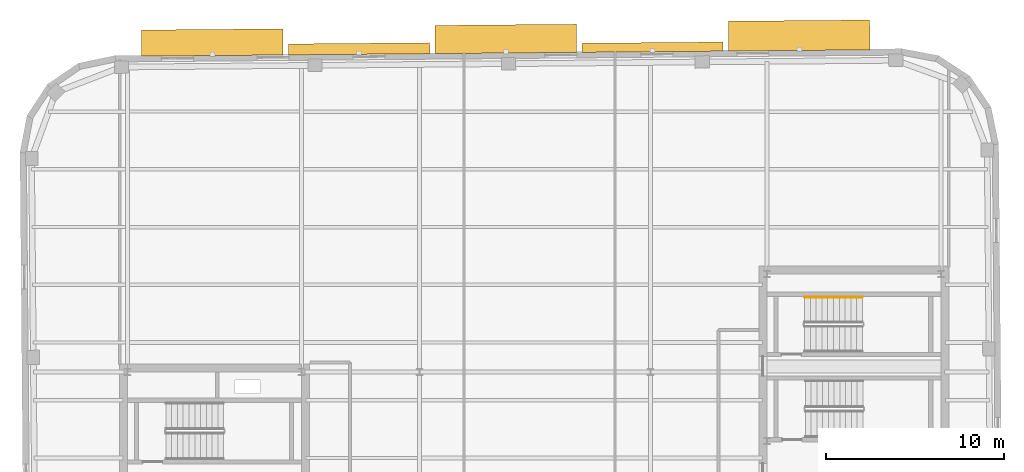
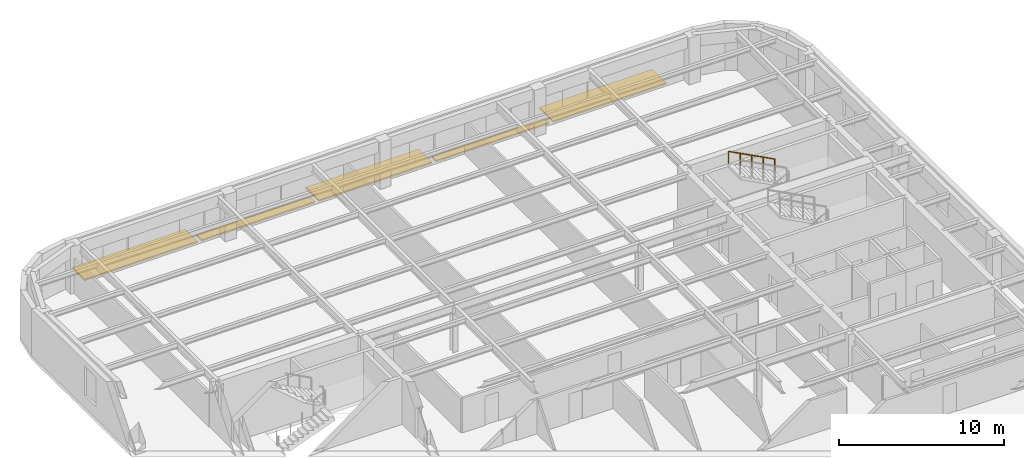
# One storey, part 13 of 13: 5 shading devices, 1 railing.
"""IFC4 building model written with IfcOpenShell, lengths in metres."""

from ifc_helpers import new_model, si_unit, direction, frame, origin, origin_2d, place, context, subcontext, project, spatial, rectangle, circle, extrude, material, type_object, element, save


model = new_model("IFC4")

# Units and contexts
model_context = context("Model", 3, precision=1e-05, world=origin(), true_north=direction((0.0, 1.0)))
body_context = subcontext(model_context, "Body", "Model", "MODEL_VIEW")
ifc_project = project(units=[si_unit("LENGTHUNIT", "METRE"), si_unit("AREAUNIT", "SQUARE_METRE"), si_unit("VOLUMEUNIT", "CUBIC_METRE"), si_unit("PLANEANGLEUNIT", "RADIAN"), si_unit("MASSUNIT", "GRAM", prefix="KILO")], contexts=[model_context])

# Site, building, storey
site_placement = place(None, origin())
site = spatial("IfcSite", under=ifc_project, at=site_placement, CompositionType="ELEMENT")
building_placement = place(site_placement, origin())
building = spatial("IfcBuilding", under=site, at=building_placement, Name="Kolvaren Arena Tower", CompositionType="ELEMENT")
storey_placement = place(building_placement, frame((0.0, 0.0, 286.14990234375)))
storey = spatial("IfcBuildingStorey", under=building, at=storey_placement, Name="L70", CompositionType="ELEMENT", Elevation=286.14990234375)

# Railing
ifc_material_1 = material(Name="Brushed stainless steel handrail", Category="steel")
railing_type = type_object("IfcRailingType", Name="HRAIL-900", PredefinedType="HANDRAIL", material=ifc_material_1)
railing_placement = place(storey_placement, frame((55.919921875, 38.050048828125, 2.045654296875)))
element("IfcRailing", 1, at=railing_placement, inside=storey, type_object=railing_type, Name="L70 ST-E2 stair handrail 2", PredefinedType="HANDRAIL", context=body_context, shape_type="SweptSolid", body=[
    extrude(circle(Radius=0.02392578125, at=origin_2d()), frame((0.0, 0.0, 0.8759765625), z_axis=(-0.885020909582, 0.0, 0.465551274945), x_axis=(0.0, -1.0, 0.0)), (0.0, 0.0, 1.0), 3.660888671875),
    extrude(circle(Radius=0.02099609375, at=origin_2d()), origin(), (0.0, 0.0, 1.0), 0.851806640625),
    extrude(circle(Radius=0.02099609375, at=origin_2d()), frame((-0.81005859375, 0.0, 0.426025390625)), (0.0, 0.0, 1.0), 0.851806640625),
    extrude(circle(Radius=0.02099609375, at=origin_2d()), frame((-1.6201171875, 0.0, 0.85205078125)), (0.0, 0.0, 1.0), 0.851806640625),
    extrude(circle(Radius=0.02099609375, at=origin_2d()), frame((-2.429931640625, 0.0, 1.2783203125)), (0.0, 0.0, 1.0), 0.851806640625),
    extrude(circle(Radius=0.02099609375, at=origin_2d()), frame((-3.239990234375, 0.0, 1.704345703125)), (0.0, 0.0, 1.0), 0.851806640625),
])

# Shading devices
ifc_material_2 = material(Name="Architectural precast GFRC and anodised aluminium sunshade", Category="concrete")
shading_device_type_1 = type_object("IfcShadingDeviceType", Name="SHAD-SINE-A", PredefinedType="USERDEFINED", material=ifc_material_2)
shading_device_1_placement = place(storey_placement, frame((27.59130859375, 52.0341796875, -0.139892578125), z_axis=(0.0, 0.0, 1.0), x_axis=(0.999961923064, 0.008726535498, 0.0)))
element("IfcShadingDevice", 2, at=shading_device_1_placement, inside=storey, type_object=shading_device_type_1, Name="Sinusoidal Slab-Edge Sunshade Louvre (L70)", ObjectType="LOUVRE", PredefinedType="USERDEFINED", context=body_context, shape_type="SweptSolid", body=[
    extrude(rectangle(XDim=7.9599609375, YDim=0.6171875, at=origin_2d()), origin(), (0.0, 0.0, 1.0), 0.1201171875),
])
shading_device_2_placement = place(storey_placement, frame((44.111083984375, 52.126220703125, -0.139892578125), z_axis=(0.0, 0.0, 1.0), x_axis=(0.999961923064, 0.008726535498, 0.0)))
element("IfcShadingDevice", 3, at=shading_device_2_placement, inside=storey, type_object=shading_device_type_1, Name="Sinusoidal Slab-Edge Sunshade Louvre (L70)", ObjectType="LOUVRE", PredefinedType="USERDEFINED", context=body_context, shape_type="SweptSolid", body=[
    extrude(rectangle(XDim=7.9599609375, YDim=0.5126953125, at=origin_2d()), origin(), (0.0, 0.0, 1.0), 0.1201171875),
])
shading_device_type_2 = type_object("IfcShadingDeviceType", Name="SHAD-SINE-B", PredefinedType="JALOUSIE", material=ifc_material_2)
shading_device_3_placement = place(storey_placement, frame((19.327880859375, 52.39013671875, -0.139892578125), z_axis=(0.0, 0.0, 1.0), x_axis=(0.999961923064, 0.008726535498, 0.0)))
element("IfcShadingDevice", 4, at=shading_device_3_placement, inside=storey, type_object=shading_device_type_2, Name="Sinusoidal Slab-Edge Sunshade Louvre (L70)", PredefinedType="JALOUSIE", context=body_context, shape_type="SweptSolid", body=[
    extrude(rectangle(XDim=7.9599609375, YDim=1.472900390625, at=origin_2d()), origin(), (0.0, 0.0, 1.0), 0.1201171875),
])
shading_device_4_placement = place(storey_placement, frame((35.8466796875, 52.591552734375, -0.139892578125), z_axis=(0.0, 0.0, 1.0), x_axis=(0.999961923064, 0.008726535498, 0.0)))
element("IfcShadingDevice", 5, at=shading_device_4_placement, inside=storey, type_object=shading_device_type_2, Name="Sinusoidal Slab-Edge Sunshade Louvre (L70)", PredefinedType="JALOUSIE", context=body_context, shape_type="SweptSolid", body=[
    extrude(rectangle(XDim=7.9599609375, YDim=1.587646484375, at=origin_2d()), origin(), (0.0, 0.0, 1.0), 0.1201171875),
])
shading_device_5_placement = place(storey_placement, frame((52.36572265625, 52.782470703125, -0.139892578125), z_axis=(0.0, 0.0, 1.0), x_axis=(0.999961923064, 0.008726535498, 0.0)))
element("IfcShadingDevice", 6, at=shading_device_5_placement, inside=storey, type_object=shading_device_type_2, Name="Sinusoidal Slab-Edge Sunshade Louvre (L70)", PredefinedType="JALOUSIE", context=body_context, shape_type="SweptSolid", body=[
    extrude(rectangle(XDim=7.9599609375, YDim=1.680908203125, at=origin_2d()), origin(), (0.0, 0.0, 1.0), 0.1201171875),
])

save(model, "model.ifc")
